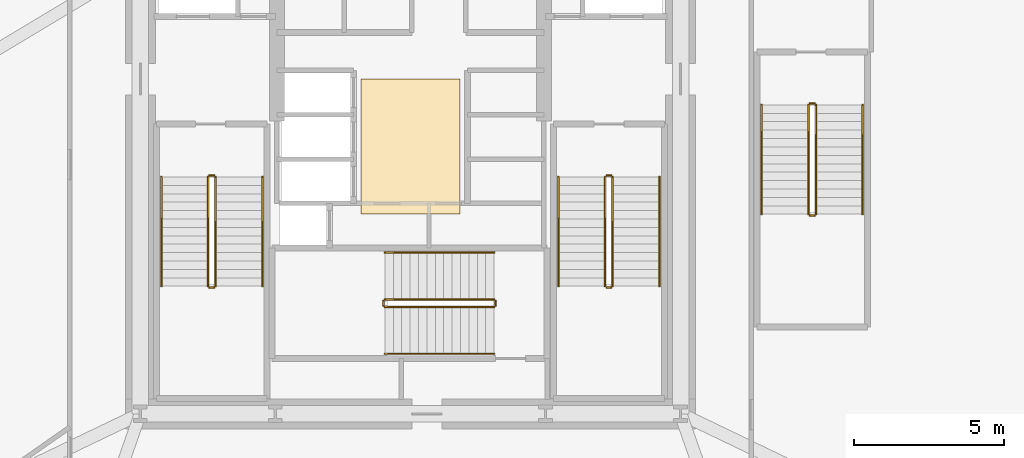
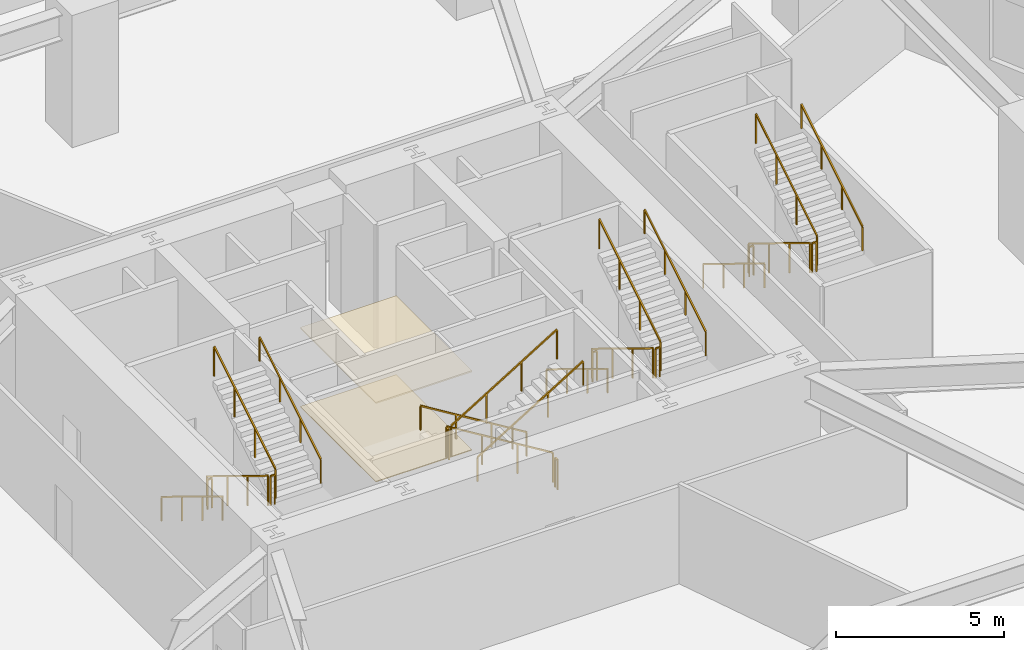
# One storey, part 14 of 15: 24 railings, 2 coverings.
"""IFC4 building model written with IfcOpenShell, lengths in metres."""

from ifc_helpers import new_model, si_unit, direction, frame, origin, origin_2d, place, context, subcontext, project, spatial, polyline, rectangle, outline, extrude, material, layer, layer_set, type_object, element, save


model = new_model("IFC4")

# Units and contexts
model_context = context("Model", 3, precision=1e-05, world=origin(), true_north=direction((0.0, 1.0)))
body_context = subcontext(model_context, "Body", "Model", "MODEL_VIEW")
ifc_project = project(units=[si_unit("LENGTHUNIT", "METRE"), si_unit("AREAUNIT", "SQUARE_METRE"), si_unit("VOLUMEUNIT", "CUBIC_METRE"), si_unit("PLANEANGLEUNIT", "RADIAN"), si_unit("MASSUNIT", "GRAM", prefix="KILO")], contexts=[model_context])

# Site, building, storey
site_placement = place(None, origin())
site = spatial("IfcSite", under=ifc_project, at=site_placement, CompositionType="ELEMENT")
building_placement = place(site_placement, origin())
building = spatial("IfcBuilding", under=site, at=building_placement, Name="Kilnhurst Terrace Hotel", CompositionType="ELEMENT")
storey_placement = place(building_placement, frame((0.0, 0.0, 23.39990234375)))
storey = spatial("IfcBuildingStorey", under=building, at=storey_placement, Name="L04", CompositionType="ELEMENT", Elevation=23.39990234375)

# Coverings
ifc_material_1 = material(Name="Perforated Micro-Acoustic Gypsum and Mineral Wool Ceiling")
ifc_layer_1 = layer(ifc_material_1, 0.050048828125, Name="Perforated Micro-Acoustic Gypsum and Mineral Wool Ceiling")
ifc_layer_set_1 = layer_set([ifc_layer_1], Name="Perforated Micro-Acoustic Gypsum and Mineral Wool Ceiling")
covering_type_1 = type_object("IfcCoveringType", Name="COV-CLG-AC60", PredefinedType="CEILING", material=ifc_layer_set_1)
covering_1_placement = place(storey_placement, frame((0.0, 0.0, 2.85009765625)))
element("IfcCovering", 1, at=covering_1_placement, inside=storey, type_object=covering_type_1, Name="L04 Lift Lobby Suspended Acoustic Ceiling", PredefinedType="CEILING", context=body_context, shape_type="SweptSolid", body=[
    extrude(outline(polyline([(-1.64990234375, -0.85009765625), (1.64990234375, -0.85009765625), (1.64990234375, 3.64990234375), (-1.64990234375, 3.64990234375), (-1.64990234375, -0.85009765625)])), origin(), (0.0, 0.0, 1.0), 0.050048828125),
])
ifc_material_2 = material(Name="Honed Texas Cream Limestone Tile Flooring", Category="masonry")
ifc_layer_2 = layer(ifc_material_2, 0.030029296875, Name="Honed Texas Cream Limestone Tile Flooring")
ifc_layer_set_2 = layer_set([ifc_layer_2], Name="Honed Texas Cream Limestone Tile Flooring")
covering_type_2 = type_object("IfcCoveringType", Name="COV-FLR-STN30", PredefinedType="FLOORING", material=ifc_layer_set_2)
covering_2_placement = place(storey_placement, origin())
element("IfcCovering", 2, at=covering_2_placement, inside=storey, type_object=covering_type_2, Name="L04 Lift Lobby Honed Limestone Flooring", PredefinedType="FLOORING", context=body_context, shape_type="SweptSolid", body=[
    extrude(outline(polyline([(-1.64990234375, -0.85009765625), (1.64990234375, -0.85009765625), (1.64990234375, 3.64990234375), (-1.64990234375, 3.64990234375), (-1.64990234375, -0.85009765625)])), origin(), (0.0, 0.0, 1.0), 0.030029296875),
])

# Railings
ifc_material_3 = material(Name="Powder-Coated Steel ASTM A500 Grade B", Category="steel")
ifc_layer_3 = layer(ifc_material_3, 0.050048828125, Name="Powder-Coated Steel ASTM A500 Grade B")
ifc_layer_set_3 = layer_set([ifc_layer_3], Name="Powder-Coated Steel ASTM A500 Grade B")
railing_type_1 = type_object("IfcRailingType", Name="RLG-ST-GRD-1100", PredefinedType="GUARDRAIL", material=ifc_layer_set_3)
railing_1_placement = place(storey_placement, frame((-6.739990234375, 0.389892578125, 0.171630859375)))
element("IfcRailing", 3, at=railing_1_placement, inside=storey, type_object=railing_type_1, Name="L04 ST-1 stair guard 1", PredefinedType="GUARDRAIL", context=body_context, shape_type="SweptSolid", body=[
    extrude(rectangle(XDim=0.048095703125, YDim=0.048095703125, at=origin_2d()), frame((0.0, 0.0, 1.076171875), z_axis=(0.0, -0.852850264322, 0.5221555579), x_axis=(1.0, 0.0, 0.0)), (0.0, 0.0, 1.0), 4.267822265625),
    extrude(rectangle(XDim=0.0419921875, YDim=0.0419921875, at=origin_2d()), origin(), (0.0, 0.0, 1.0), 1.052001953125),
    extrude(rectangle(XDim=0.0419921875, YDim=0.0419921875, at=origin_2d()), frame((0.0, -1.21337890625, 0.742919921875)), (0.0, 0.0, 1.0), 1.052001953125),
    extrude(rectangle(XDim=0.0419921875, YDim=0.0419921875, at=origin_2d()), frame((0.0, -2.426513671875, 1.485595703125)), (0.0, 0.0, 1.0), 1.052001953125),
    extrude(rectangle(XDim=0.0419921875, YDim=0.0419921875, at=origin_2d()), frame((0.0, -3.639892578125, 2.228515625)), (0.0, 0.0, 1.0), 1.052001953125),
])
railing_2_placement = place(storey_placement, frame((-6.68994140625, -3.300048828125, 2.400146484375)))
element("IfcRailing", 4, at=railing_2_placement, inside=storey, type_object=railing_type_1, Name="L04 ST-1 stair guard 2", PredefinedType="GUARDRAIL", context=body_context, shape_type="SweptSolid", body=[
    extrude(rectangle(XDim=0.048095703125, YDim=0.048095703125, at=origin_2d()), frame((0.0, 0.0, 1.076171875), z_axis=(1.0, 0.0, 0.0), x_axis=(0.0, 1.0, 0.0)), (0.0, 0.0, 1.0), 0.14990234375),
    extrude(rectangle(XDim=0.0419921875, YDim=0.0419921875, at=origin_2d()), origin(), (0.0, 0.0, 1.0), 1.052001953125),
    extrude(rectangle(XDim=0.0419921875, YDim=0.0419921875, at=origin_2d()), frame((0.14990234375, 0.0, 0.0)), (0.0, 0.0, 1.0), 1.052001953125),
])
railing_3_placement = place(storey_placement, frame((-6.489990234375, -3.25, 2.571533203125)))
element("IfcRailing", 5, at=railing_3_placement, inside=storey, type_object=railing_type_1, Name="L04 ST-1 stair guard 3", PredefinedType="GUARDRAIL", context=body_context, shape_type="SweptSolid", body=[
    extrude(rectangle(XDim=0.048095703125, YDim=0.048095703125, at=origin_2d()), frame((0.0, 0.0, 1.076171875), z_axis=(0.0, 0.852850264322, 0.5221555579), x_axis=(-1.0, 0.0, 0.0)), (0.0, 0.0, 1.0), 4.267822265625),
    extrude(rectangle(XDim=0.0419921875, YDim=0.0419921875, at=origin_2d()), origin(), (0.0, 0.0, 1.0), 1.052001953125),
    extrude(rectangle(XDim=0.0419921875, YDim=0.0419921875, at=origin_2d()), frame((0.0, 1.21337890625, 0.742919921875)), (0.0, 0.0, 1.0), 1.052001953125),
    extrude(rectangle(XDim=0.0419921875, YDim=0.0419921875, at=origin_2d()), frame((0.0, 2.426513671875, 1.485595703125)), (0.0, 0.0, 1.0), 1.052001953125),
    extrude(rectangle(XDim=0.0419921875, YDim=0.0419921875, at=origin_2d()), frame((0.0, 3.639892578125, 2.228515625)), (0.0, 0.0, 1.0), 1.052001953125),
])
railing_4_placement = place(storey_placement, frame((-6.68994140625, 0.43994140625, 0.0)))
element("IfcRailing", 6, at=railing_4_placement, inside=storey, type_object=railing_type_1, Name="L04 ST-1 stair guard 4", PredefinedType="GUARDRAIL", context=body_context, shape_type="SweptSolid", body=[
    extrude(rectangle(XDim=0.048095703125, YDim=0.048095703125, at=origin_2d()), frame((0.0, 0.0, 1.076171875), z_axis=(1.0, 0.0, 0.0), x_axis=(0.0, 1.0, 0.0)), (0.0, 0.0, 1.0), 0.14990234375),
    extrude(rectangle(XDim=0.0419921875, YDim=0.0419921875, at=origin_2d()), origin(), (0.0, 0.0, 1.0), 1.052001953125),
    extrude(rectangle(XDim=0.0419921875, YDim=0.0419921875, at=origin_2d()), frame((0.14990234375, 0.0, 0.0)), (0.0, 0.0, 1.0), 1.052001953125),
])
railing_5_placement = place(storey_placement, frame((6.489990234375, 0.389892578125, 0.171630859375)))
element("IfcRailing", 7, at=railing_5_placement, inside=storey, type_object=railing_type_1, Name="L04 ST-2 stair guard 1", PredefinedType="GUARDRAIL", context=body_context, shape_type="SweptSolid", body=[
    extrude(rectangle(XDim=0.048095703125, YDim=0.048095703125, at=origin_2d()), frame((0.0, 0.0, 1.076171875), z_axis=(0.0, -0.852850264322, 0.5221555579), x_axis=(1.0, 0.0, 0.0)), (0.0, 0.0, 1.0), 4.267822265625),
    extrude(rectangle(XDim=0.0419921875, YDim=0.0419921875, at=origin_2d()), origin(), (0.0, 0.0, 1.0), 1.052001953125),
    extrude(rectangle(XDim=0.0419921875, YDim=0.0419921875, at=origin_2d()), frame((0.0, -1.21337890625, 0.742919921875)), (0.0, 0.0, 1.0), 1.052001953125),
    extrude(rectangle(XDim=0.0419921875, YDim=0.0419921875, at=origin_2d()), frame((0.0, -2.426513671875, 1.485595703125)), (0.0, 0.0, 1.0), 1.052001953125),
    extrude(rectangle(XDim=0.0419921875, YDim=0.0419921875, at=origin_2d()), frame((0.0, -3.639892578125, 2.228515625)), (0.0, 0.0, 1.0), 1.052001953125),
])
railing_6_placement = place(storey_placement, frame((6.5400390625, -3.300048828125, 2.400146484375)))
element("IfcRailing", 8, at=railing_6_placement, inside=storey, type_object=railing_type_1, Name="L04 ST-2 stair guard 2", PredefinedType="GUARDRAIL", context=body_context, shape_type="SweptSolid", body=[
    extrude(rectangle(XDim=0.048095703125, YDim=0.048095703125, at=origin_2d()), frame((0.0, 0.0, 1.076171875), z_axis=(1.0, 0.0, 0.0), x_axis=(0.0, 1.0, 0.0)), (0.0, 0.0, 1.0), 0.14990234375),
    extrude(rectangle(XDim=0.0419921875, YDim=0.0419921875, at=origin_2d()), origin(), (0.0, 0.0, 1.0), 1.052001953125),
    extrude(rectangle(XDim=0.0419921875, YDim=0.0419921875, at=origin_2d()), frame((0.14990234375, 0.0, 0.0)), (0.0, 0.0, 1.0), 1.052001953125),
])
railing_7_placement = place(storey_placement, frame((6.739990234375, -3.25, 2.571533203125)))
element("IfcRailing", 9, at=railing_7_placement, inside=storey, type_object=railing_type_1, Name="L04 ST-2 stair guard 3", PredefinedType="GUARDRAIL", context=body_context, shape_type="SweptSolid", body=[
    extrude(rectangle(XDim=0.048095703125, YDim=0.048095703125, at=origin_2d()), frame((0.0, 0.0, 1.076171875), z_axis=(0.0, 0.852850264322, 0.5221555579), x_axis=(-1.0, 0.0, 0.0)), (0.0, 0.0, 1.0), 4.267822265625),
    extrude(rectangle(XDim=0.0419921875, YDim=0.0419921875, at=origin_2d()), origin(), (0.0, 0.0, 1.0), 1.052001953125),
    extrude(rectangle(XDim=0.0419921875, YDim=0.0419921875, at=origin_2d()), frame((0.0, 1.21337890625, 0.742919921875)), (0.0, 0.0, 1.0), 1.052001953125),
    extrude(rectangle(XDim=0.0419921875, YDim=0.0419921875, at=origin_2d()), frame((0.0, 2.426513671875, 1.485595703125)), (0.0, 0.0, 1.0), 1.052001953125),
    extrude(rectangle(XDim=0.0419921875, YDim=0.0419921875, at=origin_2d()), frame((0.0, 3.639892578125, 2.228515625)), (0.0, 0.0, 1.0), 1.052001953125),
])
railing_8_placement = place(storey_placement, frame((6.5400390625, 0.43994140625, 0.0)))
element("IfcRailing", 10, at=railing_8_placement, inside=storey, type_object=railing_type_1, Name="L04 ST-2 stair guard 4", PredefinedType="GUARDRAIL", context=body_context, shape_type="SweptSolid", body=[
    extrude(rectangle(XDim=0.048095703125, YDim=0.048095703125, at=origin_2d()), frame((0.0, 0.0, 1.076171875), z_axis=(1.0, 0.0, 0.0), x_axis=(0.0, 1.0, 0.0)), (0.0, 0.0, 1.0), 0.14990234375),
    extrude(rectangle(XDim=0.0419921875, YDim=0.0419921875, at=origin_2d()), origin(), (0.0, 0.0, 1.0), 1.052001953125),
    extrude(rectangle(XDim=0.0419921875, YDim=0.0419921875, at=origin_2d()), frame((0.14990234375, 0.0, 0.0)), (0.0, 0.0, 1.0), 1.052001953125),
])
railing_9_placement = place(storey_placement, frame((2.7900390625, -3.68994140625, 0.171630859375)))
element("IfcRailing", 11, at=railing_9_placement, inside=storey, type_object=railing_type_1, Name="L04 ST-3 stair guard 1", PredefinedType="GUARDRAIL", context=body_context, shape_type="SweptSolid", body=[
    extrude(rectangle(XDim=0.048095703125, YDim=0.048095703125, at=origin_2d()), frame((0.0, 0.0, 1.076171875), z_axis=(-0.852865859571, 0.0, 0.52213008492), x_axis=(0.0, -1.0, 0.0)), (0.0, 0.0, 1.0), 4.26806640625),
    extrude(rectangle(XDim=0.0419921875, YDim=0.0419921875, at=origin_2d()), origin(), (0.0, 0.0, 1.0), 1.052001953125),
    extrude(rectangle(XDim=0.0419921875, YDim=0.0419921875, at=origin_2d()), frame((-1.21337890625, 0.0, 0.742919921875)), (0.0, 0.0, 1.0), 1.052001953125),
    extrude(rectangle(XDim=0.0419921875, YDim=0.0419921875, at=origin_2d()), frame((-2.4267578125, 0.0, 1.485595703125)), (0.0, 0.0, 1.0), 1.052001953125),
    extrude(rectangle(XDim=0.0419921875, YDim=0.0419921875, at=origin_2d()), frame((-3.64013671875, 0.0, 2.228515625)), (0.0, 0.0, 1.0), 1.052001953125),
])
railing_10_placement = place(storey_placement, frame((-0.89990234375, -3.739990234375, 2.400146484375)))
element("IfcRailing", 12, at=railing_10_placement, inside=storey, type_object=railing_type_1, Name="L04 ST-3 stair guard 2", PredefinedType="GUARDRAIL", context=body_context, shape_type="SweptSolid", body=[
    extrude(rectangle(XDim=0.048095703125, YDim=0.048095703125, at=origin_2d()), frame((0.0, 0.0, 1.076171875), z_axis=(0.0, -1.0, 0.0), x_axis=(1.0, 0.0, 0.0)), (0.0, 0.0, 1.0), 0.14990234375),
    extrude(rectangle(XDim=0.0419921875, YDim=0.0419921875, at=origin_2d()), origin(), (0.0, 0.0, 1.0), 1.052001953125),
    extrude(rectangle(XDim=0.0419921875, YDim=0.0419921875, at=origin_2d()), frame((0.0, -0.14990234375, 0.0)), (0.0, 0.0, 1.0), 1.052001953125),
])
railing_11_placement = place(storey_placement, frame((-0.85009765625, -3.93994140625, 2.571533203125)))
element("IfcRailing", 13, at=railing_11_placement, inside=storey, type_object=railing_type_1, Name="L04 ST-3 stair guard 3", PredefinedType="GUARDRAIL", context=body_context, shape_type="SweptSolid", body=[
    extrude(rectangle(XDim=0.048095703125, YDim=0.048095703125, at=origin_2d()), frame((0.0, 0.0, 1.076171875), z_axis=(0.852865859571, 0.0, 0.52213008492), x_axis=(0.0, 1.0, 0.0)), (0.0, 0.0, 1.0), 4.26806640625),
    extrude(rectangle(XDim=0.0419921875, YDim=0.0419921875, at=origin_2d()), origin(), (0.0, 0.0, 1.0), 1.052001953125),
    extrude(rectangle(XDim=0.0419921875, YDim=0.0419921875, at=origin_2d()), frame((1.21337890625, 0.0, 0.742919921875)), (0.0, 0.0, 1.0), 1.052001953125),
    extrude(rectangle(XDim=0.0419921875, YDim=0.0419921875, at=origin_2d()), frame((2.4267578125, 0.0, 1.485595703125)), (0.0, 0.0, 1.0), 1.052001953125),
    extrude(rectangle(XDim=0.0419921875, YDim=0.0419921875, at=origin_2d()), frame((3.64013671875, 0.0, 2.228515625)), (0.0, 0.0, 1.0), 1.052001953125),
])
railing_12_placement = place(storey_placement, frame((2.840087890625, -3.739990234375, 0.0)))
element("IfcRailing", 14, at=railing_12_placement, inside=storey, type_object=railing_type_1, Name="L04 ST-3 stair guard 4", PredefinedType="GUARDRAIL", context=body_context, shape_type="SweptSolid", body=[
    extrude(rectangle(XDim=0.048095703125, YDim=0.048095703125, at=origin_2d()), frame((0.0, 0.0, 1.076171875), z_axis=(0.0, -1.0, 0.0), x_axis=(1.0, 0.0, 0.0)), (0.0, 0.0, 1.0), 0.14990234375),
    extrude(rectangle(XDim=0.0419921875, YDim=0.0419921875, at=origin_2d()), origin(), (0.0, 0.0, 1.0), 1.052001953125),
    extrude(rectangle(XDim=0.0419921875, YDim=0.0419921875, at=origin_2d()), frame((0.0, -0.14990234375, 0.0)), (0.0, 0.0, 1.0), 1.052001953125),
])
railing_13_placement = place(storey_placement, frame((13.260009765625, 2.7900390625, 0.171630859375)))
element("IfcRailing", 15, at=railing_13_placement, inside=storey, type_object=railing_type_1, Name="L04 ST-4 stair guard 1", PredefinedType="GUARDRAIL", context=body_context, shape_type="SweptSolid", body=[
    extrude(rectangle(XDim=0.048095703125, YDim=0.048095703125, at=origin_2d()), frame((0.0, 0.0, 1.076171875), z_axis=(0.0, -0.852865859571, 0.52213008492), x_axis=(1.0, 0.0, 0.0)), (0.0, 0.0, 1.0), 4.26806640625),
    extrude(rectangle(XDim=0.0419921875, YDim=0.0419921875, at=origin_2d()), origin(), (0.0, 0.0, 1.0), 1.052001953125),
    extrude(rectangle(XDim=0.0419921875, YDim=0.0419921875, at=origin_2d()), frame((0.0, -1.21337890625, 0.742919921875)), (0.0, 0.0, 1.0), 1.052001953125),
    extrude(rectangle(XDim=0.0419921875, YDim=0.0419921875, at=origin_2d()), frame((0.0, -2.4267578125, 1.485595703125)), (0.0, 0.0, 1.0), 1.052001953125),
    extrude(rectangle(XDim=0.0419921875, YDim=0.0419921875, at=origin_2d()), frame((0.0, -3.64013671875, 2.228515625)), (0.0, 0.0, 1.0), 1.052001953125),
])
railing_14_placement = place(storey_placement, frame((13.31005859375, -0.89990234375, 2.400146484375)))
element("IfcRailing", 16, at=railing_14_placement, inside=storey, type_object=railing_type_1, Name="L04 ST-4 stair guard 2", PredefinedType="GUARDRAIL", context=body_context, shape_type="SweptSolid", body=[
    extrude(rectangle(XDim=0.048095703125, YDim=0.048095703125, at=origin_2d()), frame((0.0, 0.0, 1.076171875), z_axis=(1.0, 0.0, 0.0), x_axis=(0.0, 1.0, 0.0)), (0.0, 0.0, 1.0), 0.14990234375),
    extrude(rectangle(XDim=0.0419921875, YDim=0.0419921875, at=origin_2d()), origin(), (0.0, 0.0, 1.0), 1.052001953125),
    extrude(rectangle(XDim=0.0419921875, YDim=0.0419921875, at=origin_2d()), frame((0.14990234375, 0.0, 0.0)), (0.0, 0.0, 1.0), 1.052001953125),
])
railing_15_placement = place(storey_placement, frame((13.510009765625, -0.85009765625, 2.571533203125)))
element("IfcRailing", 17, at=railing_15_placement, inside=storey, type_object=railing_type_1, Name="L04 ST-4 stair guard 3", PredefinedType="GUARDRAIL", context=body_context, shape_type="SweptSolid", body=[
    extrude(rectangle(XDim=0.048095703125, YDim=0.048095703125, at=origin_2d()), frame((0.0, 0.0, 1.076171875), z_axis=(0.0, 0.852865859571, 0.52213008492), x_axis=(-1.0, 0.0, 0.0)), (0.0, 0.0, 1.0), 4.26806640625),
    extrude(rectangle(XDim=0.0419921875, YDim=0.0419921875, at=origin_2d()), origin(), (0.0, 0.0, 1.0), 1.052001953125),
    extrude(rectangle(XDim=0.0419921875, YDim=0.0419921875, at=origin_2d()), frame((0.0, 1.21337890625, 0.742919921875)), (0.0, 0.0, 1.0), 1.052001953125),
    extrude(rectangle(XDim=0.0419921875, YDim=0.0419921875, at=origin_2d()), frame((0.0, 2.4267578125, 1.485595703125)), (0.0, 0.0, 1.0), 1.052001953125),
    extrude(rectangle(XDim=0.0419921875, YDim=0.0419921875, at=origin_2d()), frame((0.0, 3.64013671875, 2.228515625)), (0.0, 0.0, 1.0), 1.052001953125),
])
railing_16_placement = place(storey_placement, frame((13.31005859375, 2.840087890625, 0.0)))
element("IfcRailing", 18, at=railing_16_placement, inside=storey, type_object=railing_type_1, Name="L04 ST-4 stair guard 4", PredefinedType="GUARDRAIL", context=body_context, shape_type="SweptSolid", body=[
    extrude(rectangle(XDim=0.048095703125, YDim=0.048095703125, at=origin_2d()), frame((0.0, 0.0, 1.076171875), z_axis=(1.0, 0.0, 0.0), x_axis=(0.0, 1.0, 0.0)), (0.0, 0.0, 1.0), 0.14990234375),
    extrude(rectangle(XDim=0.0419921875, YDim=0.0419921875, at=origin_2d()), origin(), (0.0, 0.0, 1.0), 1.052001953125),
    extrude(rectangle(XDim=0.0419921875, YDim=0.0419921875, at=origin_2d()), frame((0.14990234375, 0.0, 0.0)), (0.0, 0.0, 1.0), 1.052001953125),
])
ifc_material_4 = material(Name="Brushed Stainless Steel AISI 304", Category="steel")
ifc_layer_4 = layer(ifc_material_4, 0.048095703125, Name="Brushed Stainless Steel AISI 304")
ifc_layer_set_4 = layer_set([ifc_layer_4], Name="Brushed Stainless Steel AISI 304")
railing_type_2 = type_object("IfcRailingType", Name="RLG-ST-HRL-900", PredefinedType="HANDRAIL", material=ifc_layer_set_4)
railing_17_placement = place(storey_placement, frame((-8.300048828125, 0.389892578125, 0.171630859375)))
element("IfcRailing", 19, at=railing_17_placement, inside=storey, type_object=railing_type_2, Name="L04 ST-1 stair handrail 1", PredefinedType="HANDRAIL", context=body_context, shape_type="SweptSolid", body=[
    extrude(rectangle(XDim=0.048095703125, YDim=0.048095703125, at=origin_2d()), frame((0.0, 0.0, 0.8759765625), z_axis=(0.0, -0.852850264322, 0.5221555579), x_axis=(1.0, 0.0, 0.0)), (0.0, 0.0, 1.0), 4.267822265625),
    extrude(rectangle(XDim=0.0419921875, YDim=0.0419921875, at=origin_2d()), origin(), (0.0, 0.0, 1.0), 0.851806640625),
    extrude(rectangle(XDim=0.0419921875, YDim=0.0419921875, at=origin_2d()), frame((0.0, -1.21337890625, 0.742919921875)), (0.0, 0.0, 1.0), 0.851806640625),
    extrude(rectangle(XDim=0.0419921875, YDim=0.0419921875, at=origin_2d()), frame((0.0, -2.426513671875, 1.485595703125)), (0.0, 0.0, 1.0), 0.851806640625),
    extrude(rectangle(XDim=0.0419921875, YDim=0.0419921875, at=origin_2d()), frame((0.0, -3.639892578125, 2.228515625)), (0.0, 0.0, 1.0), 0.851806640625),
])
railing_18_placement = place(storey_placement, frame((-4.929931640625, -3.25, 2.571533203125)))
element("IfcRailing", 20, at=railing_18_placement, inside=storey, type_object=railing_type_2, Name="L04 ST-1 stair handrail 2", PredefinedType="HANDRAIL", context=body_context, shape_type="SweptSolid", body=[
    extrude(rectangle(XDim=0.048095703125, YDim=0.048095703125, at=origin_2d()), frame((0.0, 0.0, 0.8759765625), z_axis=(0.0, 0.852850264322, 0.5221555579), x_axis=(-1.0, 0.0, 0.0)), (0.0, 0.0, 1.0), 4.267822265625),
    extrude(rectangle(XDim=0.0419921875, YDim=0.0419921875, at=origin_2d()), origin(), (0.0, 0.0, 1.0), 0.851806640625),
    extrude(rectangle(XDim=0.0419921875, YDim=0.0419921875, at=origin_2d()), frame((0.0, 1.21337890625, 0.742919921875)), (0.0, 0.0, 1.0), 0.851806640625),
    extrude(rectangle(XDim=0.0419921875, YDim=0.0419921875, at=origin_2d()), frame((0.0, 2.426513671875, 1.485595703125)), (0.0, 0.0, 1.0), 0.851806640625),
    extrude(rectangle(XDim=0.0419921875, YDim=0.0419921875, at=origin_2d()), frame((0.0, 3.639892578125, 2.228515625)), (0.0, 0.0, 1.0), 0.851806640625),
])
railing_19_placement = place(storey_placement, frame((4.929931640625, 0.389892578125, 0.171630859375)))
element("IfcRailing", 21, at=railing_19_placement, inside=storey, type_object=railing_type_2, Name="L04 ST-2 stair handrail 1", PredefinedType="HANDRAIL", context=body_context, shape_type="SweptSolid", body=[
    extrude(rectangle(XDim=0.048095703125, YDim=0.048095703125, at=origin_2d()), frame((0.0, 0.0, 0.8759765625), z_axis=(0.0, -0.852850264322, 0.5221555579), x_axis=(1.0, 0.0, 0.0)), (0.0, 0.0, 1.0), 4.267822265625),
    extrude(rectangle(XDim=0.0419921875, YDim=0.0419921875, at=origin_2d()), origin(), (0.0, 0.0, 1.0), 0.851806640625),
    extrude(rectangle(XDim=0.0419921875, YDim=0.0419921875, at=origin_2d()), frame((0.0, -1.21337890625, 0.742919921875)), (0.0, 0.0, 1.0), 0.851806640625),
    extrude(rectangle(XDim=0.0419921875, YDim=0.0419921875, at=origin_2d()), frame((0.0, -2.426513671875, 1.485595703125)), (0.0, 0.0, 1.0), 0.851806640625),
    extrude(rectangle(XDim=0.0419921875, YDim=0.0419921875, at=origin_2d()), frame((0.0, -3.639892578125, 2.228515625)), (0.0, 0.0, 1.0), 0.851806640625),
])
railing_20_placement = place(storey_placement, frame((8.300048828125, -3.25, 2.571533203125)))
element("IfcRailing", 22, at=railing_20_placement, inside=storey, type_object=railing_type_2, Name="L04 ST-2 stair handrail 2", PredefinedType="HANDRAIL", context=body_context, shape_type="SweptSolid", body=[
    extrude(rectangle(XDim=0.048095703125, YDim=0.048095703125, at=origin_2d()), frame((0.0, 0.0, 0.8759765625), z_axis=(0.0, 0.852850264322, 0.5221555579), x_axis=(-1.0, 0.0, 0.0)), (0.0, 0.0, 1.0), 4.267822265625),
    extrude(rectangle(XDim=0.0419921875, YDim=0.0419921875, at=origin_2d()), origin(), (0.0, 0.0, 1.0), 0.851806640625),
    extrude(rectangle(XDim=0.0419921875, YDim=0.0419921875, at=origin_2d()), frame((0.0, 1.21337890625, 0.742919921875)), (0.0, 0.0, 1.0), 0.851806640625),
    extrude(rectangle(XDim=0.0419921875, YDim=0.0419921875, at=origin_2d()), frame((0.0, 2.426513671875, 1.485595703125)), (0.0, 0.0, 1.0), 0.851806640625),
    extrude(rectangle(XDim=0.0419921875, YDim=0.0419921875, at=origin_2d()), frame((0.0, 3.639892578125, 2.228515625)), (0.0, 0.0, 1.0), 0.851806640625),
])
railing_21_placement = place(storey_placement, frame((2.7900390625, -2.1298828125, 0.171630859375)))
element("IfcRailing", 23, at=railing_21_placement, inside=storey, type_object=railing_type_2, Name="L04 ST-3 stair handrail 1", PredefinedType="HANDRAIL", context=body_context, shape_type="SweptSolid", body=[
    extrude(rectangle(XDim=0.048095703125, YDim=0.048095703125, at=origin_2d()), frame((0.0, 0.0, 0.8759765625), z_axis=(-0.852865859571, 0.0, 0.52213008492), x_axis=(0.0, -1.0, 0.0)), (0.0, 0.0, 1.0), 4.26806640625),
    extrude(rectangle(XDim=0.0419921875, YDim=0.0419921875, at=origin_2d()), origin(), (0.0, 0.0, 1.0), 0.851806640625),
    extrude(rectangle(XDim=0.0419921875, YDim=0.0419921875, at=origin_2d()), frame((-1.21337890625, 0.0, 0.742919921875)), (0.0, 0.0, 1.0), 0.851806640625),
    extrude(rectangle(XDim=0.0419921875, YDim=0.0419921875, at=origin_2d()), frame((-2.4267578125, 0.0, 1.485595703125)), (0.0, 0.0, 1.0), 0.851806640625),
    extrude(rectangle(XDim=0.0419921875, YDim=0.0419921875, at=origin_2d()), frame((-3.64013671875, 0.0, 2.228515625)), (0.0, 0.0, 1.0), 0.851806640625),
])
railing_22_placement = place(storey_placement, frame((-0.85009765625, -5.5, 2.571533203125)))
element("IfcRailing", 24, at=railing_22_placement, inside=storey, type_object=railing_type_2, Name="L04 ST-3 stair handrail 2", PredefinedType="HANDRAIL", context=body_context, shape_type="SweptSolid", body=[
    extrude(rectangle(XDim=0.048095703125, YDim=0.048095703125, at=origin_2d()), frame((0.0, 0.0, 0.8759765625), z_axis=(0.852865859571, 0.0, 0.52213008492), x_axis=(0.0, 1.0, 0.0)), (0.0, 0.0, 1.0), 4.26806640625),
    extrude(rectangle(XDim=0.0419921875, YDim=0.0419921875, at=origin_2d()), origin(), (0.0, 0.0, 1.0), 0.851806640625),
    extrude(rectangle(XDim=0.0419921875, YDim=0.0419921875, at=origin_2d()), frame((1.21337890625, 0.0, 0.742919921875)), (0.0, 0.0, 1.0), 0.851806640625),
    extrude(rectangle(XDim=0.0419921875, YDim=0.0419921875, at=origin_2d()), frame((2.4267578125, 0.0, 1.485595703125)), (0.0, 0.0, 1.0), 0.851806640625),
    extrude(rectangle(XDim=0.0419921875, YDim=0.0419921875, at=origin_2d()), frame((3.64013671875, 0.0, 2.228515625)), (0.0, 0.0, 1.0), 0.851806640625),
])
railing_23_placement = place(storey_placement, frame((11.699951171875, 2.7900390625, 0.171630859375)))
element("IfcRailing", 25, at=railing_23_placement, inside=storey, type_object=railing_type_2, Name="L04 ST-4 stair handrail 1", PredefinedType="HANDRAIL", context=body_context, shape_type="SweptSolid", body=[
    extrude(rectangle(XDim=0.048095703125, YDim=0.048095703125, at=origin_2d()), frame((0.0, 0.0, 0.8759765625), z_axis=(0.0, -0.852865859571, 0.52213008492), x_axis=(1.0, 0.0, 0.0)), (0.0, 0.0, 1.0), 4.26806640625),
    extrude(rectangle(XDim=0.0419921875, YDim=0.0419921875, at=origin_2d()), origin(), (0.0, 0.0, 1.0), 0.851806640625),
    extrude(rectangle(XDim=0.0419921875, YDim=0.0419921875, at=origin_2d()), frame((0.0, -1.21337890625, 0.742919921875)), (0.0, 0.0, 1.0), 0.851806640625),
    extrude(rectangle(XDim=0.0419921875, YDim=0.0419921875, at=origin_2d()), frame((0.0, -2.4267578125, 1.485595703125)), (0.0, 0.0, 1.0), 0.851806640625),
    extrude(rectangle(XDim=0.0419921875, YDim=0.0419921875, at=origin_2d()), frame((0.0, -3.64013671875, 2.228515625)), (0.0, 0.0, 1.0), 0.851806640625),
])
railing_24_placement = place(storey_placement, frame((15.070068359375, -0.85009765625, 2.571533203125)))
element("IfcRailing", 26, at=railing_24_placement, inside=storey, type_object=railing_type_2, Name="L04 ST-4 stair handrail 2", PredefinedType="HANDRAIL", context=body_context, shape_type="SweptSolid", body=[
    extrude(rectangle(XDim=0.048095703125, YDim=0.048095703125, at=origin_2d()), frame((0.0, 0.0, 0.8759765625), z_axis=(0.0, 0.852865859571, 0.52213008492), x_axis=(-1.0, 0.0, 0.0)), (0.0, 0.0, 1.0), 4.26806640625),
    extrude(rectangle(XDim=0.0419921875, YDim=0.0419921875, at=origin_2d()), origin(), (0.0, 0.0, 1.0), 0.851806640625),
    extrude(rectangle(XDim=0.0419921875, YDim=0.0419921875, at=origin_2d()), frame((0.0, 1.21337890625, 0.742919921875)), (0.0, 0.0, 1.0), 0.851806640625),
    extrude(rectangle(XDim=0.0419921875, YDim=0.0419921875, at=origin_2d()), frame((0.0, 2.4267578125, 1.485595703125)), (0.0, 0.0, 1.0), 0.851806640625),
    extrude(rectangle(XDim=0.0419921875, YDim=0.0419921875, at=origin_2d()), frame((0.0, 3.64013671875, 2.228515625)), (0.0, 0.0, 1.0), 0.851806640625),
])

save(model, "model.ifc")
